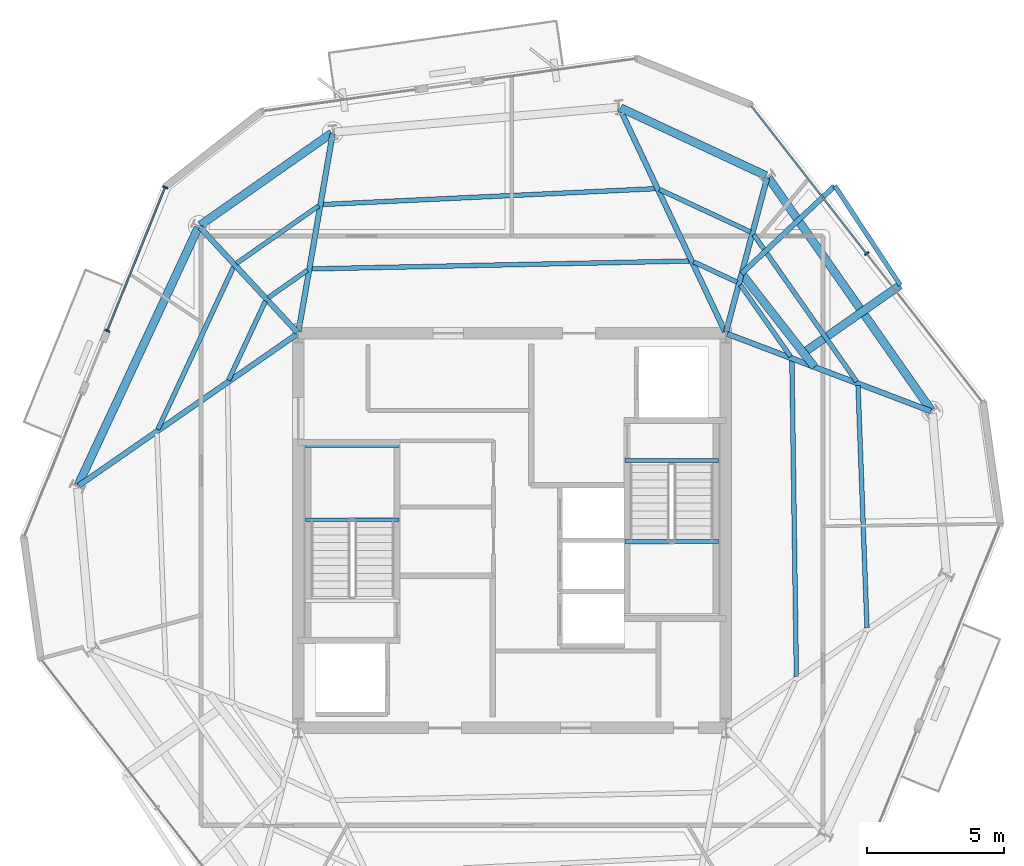
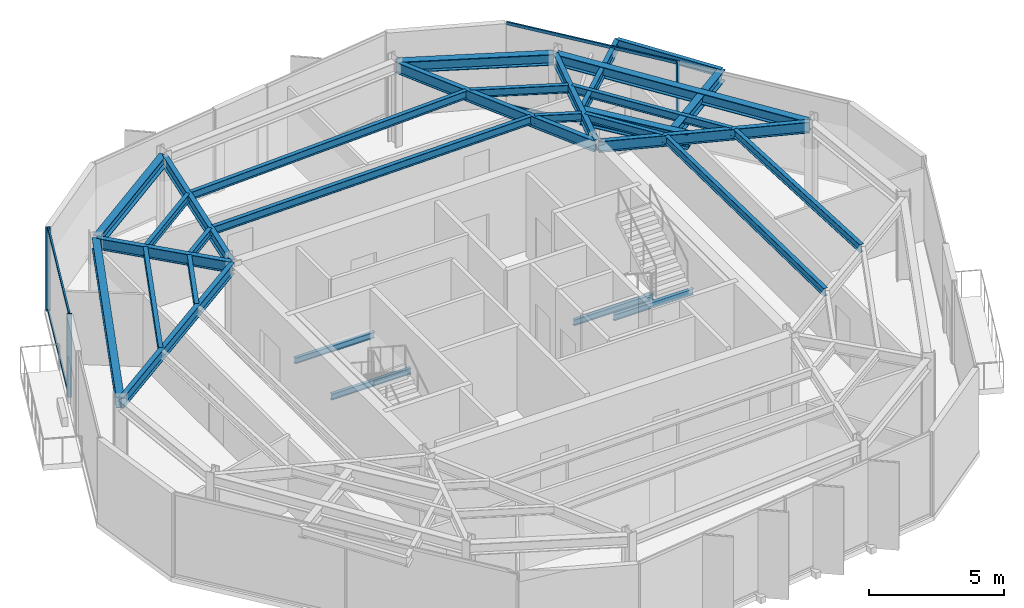
# One storey, part 4 of 11: 30 beams, 7 members, 2 elements without a shape of their own.
"""IFC4 building model written with IfcOpenShell, lengths in metres."""

from ifc_helpers import new_model, si_unit, direction, frame, origin, origin_2d, place, context, subcontext, project, spatial, rectangle, i_section, extrude, material, layer, layer_set, material_profile, profile_set, type_object, element, aggregate, save


model = new_model("IFC4")

# Units and contexts
model_context = context("Model", 3, precision=1e-05, world=origin(), true_north=direction((0.0, 1.0)))
body_context = subcontext(model_context, "Body", "Model", "MODEL_VIEW")
ifc_project = project(units=[si_unit("LENGTHUNIT", "METRE"), si_unit("AREAUNIT", "SQUARE_METRE"), si_unit("VOLUMEUNIT", "CUBIC_METRE"), si_unit("PLANEANGLEUNIT", "RADIAN"), si_unit("MASSUNIT", "GRAM", prefix="KILO")], contexts=[model_context])

# Site, building, storey
site_placement = place(None, origin())
site = spatial("IfcSite", under=ifc_project, at=site_placement, CompositionType="ELEMENT")
building_placement = place(site_placement, origin())
building = spatial("IfcBuilding", under=site, at=building_placement, Name="Kranzbogen Civic Tower", CompositionType="ELEMENT")
storey_placement = place(building_placement, frame((0.0, 0.0, 298.199951171875)))
storey = spatial("IfcBuildingStorey", under=building, at=storey_placement, Name="L72", CompositionType="ELEMENT", Elevation=298.199951171875)

# Beam
ifc_material_1 = material(Name="Steel S355", Category="steel")
ifc_material_profile_1 = material_profile(ifc_material_1, i_section(OverallWidth=0.18994140625, OverallDepth=0.449951171875, WebThickness=0.009521484375, FlangeThickness=0.0146484375, at=origin_2d()), Name="IPE 450")
ifc_profile_set_1 = profile_set([ifc_material_profile_1], Name="Steel S355")
beam_type_1 = type_object("IfcBeamType", Name="Braced Terrace Edge Beam IPE 450", PredefinedType="BEAM", material=ifc_profile_set_1)
beam_1_placement = place(storey_placement, frame((33.3779296875, 34.3759765625, 3.525146484375), z_axis=(0.728115570364, 0.685454386662, 0.0), x_axis=(-0.685454386662, 0.728115570364, 0.0)))
element("IfcBeam", 1, at=beam_1_placement, inside=storey, type_object=beam_type_1, Name="L73 back-spanned terrace beam L73-TB1-2", PredefinedType="BEAM", context=body_context, shape_type="SweptSolid", body=[
    extrude(i_section(OverallWidth=0.18994140625, OverallDepth=0.449951171875, WebThickness=0.009521484375, FlangeThickness=0.0146484375, at=origin_2d()), origin(), (0.0, 0.0, 1.0), 4.669677734375),
])

# Curtain wall, members
ifc_material_2 = material(Name="Pale Anodised Aluminium", Category="aluminium")
ifc_layer = layer(ifc_material_2, 0.219970703125, Name="Pale Anodised Aluminium")
ifc_layer_set = layer_set([ifc_layer], Name="Pale Anodised Aluminium")
curtain_wall_type = type_object("IfcCurtainWallType", Name="Zone 4 Stick Curtain Wall System CW-05", PredefinedType="USERDEFINED", material=ifc_layer_set)
curtain_wall_1_placement = place(storey_placement, origin())
curtain_wall_1 = element("IfcCurtainWall", 2, at=curtain_wall_1_placement, inside=storey, type_object=curtain_wall_type, Name="L72 curtain wall CW-L72-F2-S1", ObjectType="STICK CURTAIN WALL", PredefinedType="USERDEFINED")
ifc_material_profile_2 = material_profile(ifc_material_2, rectangle(XDim=0.06494140625, YDim=0.179931640625, at=origin_2d()), Name="ALU-M 65x180")
ifc_profile_set_2 = profile_set([ifc_material_profile_2], Name="Pale Anodised Aluminium")
member_type_1 = type_object("IfcMemberType", Name="Curtain Wall Mullion ALU-M 65x180", PredefinedType="MULLION", material=ifc_profile_set_2)
member_1_placement = place(storey_placement, frame((12.348876953125, 37.523193359375, 0.0), z_axis=(0.0, 0.0, 1.0), x_axis=(-0.374593528978, -0.927189132835, 0.0)))
member_1 = element("IfcMember", 3, at=member_1_placement, type_object=member_type_1, Name="CW-05 mullion 1", PredefinedType="MULLION", context=body_context, shape_type="SweptSolid", body=[
    extrude(rectangle(XDim=0.06494140625, YDim=0.179931640625, at=origin_2d()), origin(), (0.0, 0.0, 1.0), 3.780029296875),
])
member_2_placement = place(storey_placement, frame((10.2353515625, 32.291748046875, 0.0), z_axis=(0.0, 0.0, 1.0), x_axis=(-0.374593528978, -0.927189132835, 0.0)))
member_2 = element("IfcMember", 4, at=member_2_placement, type_object=member_type_1, Name="CW-05 mullion 2", PredefinedType="MULLION", context=body_context, shape_type="SweptSolid", body=[
    extrude(rectangle(XDim=0.06494140625, YDim=0.179931640625, at=origin_2d()), origin(), (0.0, 0.0, 1.0), 3.780029296875),
])

# Curtain wall, member
curtain_wall_2_placement = place(storey_placement, origin())
curtain_wall_2 = element("IfcCurtainWall", 5, at=curtain_wall_2_placement, inside=storey, type_object=curtain_wall_type, Name="L72 curtain wall CW-L72-F6", ObjectType="STICK CURTAIN WALL", PredefinedType="USERDEFINED")
member_3_placement = place(storey_placement, frame((37.93994140625, 35.109619140625, 0.0), z_axis=(0.0, 0.0, 1.0), x_axis=(-0.615679181618, 0.787996919614, 0.0)))
member_3 = element("IfcMember", 6, at=member_3_placement, type_object=member_type_1, Name="CW-05 mullion 2", PredefinedType="MULLION", context=body_context, shape_type="SweptSolid", body=[
    extrude(rectangle(XDim=0.06494140625, YDim=0.179931640625, at=origin_2d()), origin(), (0.0, 0.0, 1.0), 3.780029296875),
])

# Member
ifc_material_profile_3 = material_profile(ifc_material_2, rectangle(XDim=0.06494140625, YDim=0.135009765625, at=origin_2d()), Name="ALU-T 65x135")
ifc_profile_set_3 = profile_set([ifc_material_profile_3], Name="Pale Anodised Aluminium")
member_type_2 = type_object("IfcMemberType", Name="Curtain Wall Transom ALU-T 65x135", PredefinedType="USERDEFINED", material=ifc_profile_set_3)
member_4_placement = place(storey_placement, frame((12.33740234375, 37.495361328125, 0.030029296875), z_axis=(-0.374555609646, -0.927204451716, 0.0), x_axis=(0.927204451716, -0.374555609646, 0.0)))
member_4 = element("IfcMember", 7, at=member_4_placement, type_object=member_type_2, Name="CW-05 transom 1.1", ObjectType="TRANSOM", PredefinedType="USERDEFINED", context=body_context, shape_type="SweptSolid", body=[
    extrude(rectangle(XDim=0.06494140625, YDim=0.135009765625, at=origin_2d()), origin(), (0.0, 0.0, 1.0), 5.58203125),
])

member_5_placement = place(storey_placement, frame((12.33740234375, 37.495361328125, 3.75), z_axis=(-0.374555609646, -0.927204451716, 0.0), x_axis=(0.927204451716, -0.374555609646, 0.0)))
member_5 = element("IfcMember", 8, at=member_5_placement, type_object=member_type_2, Name="CW-05 transom 1.2", ObjectType="TRANSOM", PredefinedType="USERDEFINED", context=body_context, shape_type="SweptSolid", body=[
    extrude(rectangle(XDim=0.06494140625, YDim=0.135009765625, at=origin_2d()), origin(), (0.0, 0.0, 1.0), 5.58203125),
])

aggregate(curtain_wall_1, [member_1, member_2, member_4, member_5])

member_6_placement = place(storey_placement, frame((37.921630859375, 35.133056640625, 0.030029296875), z_axis=(-0.615673248113, 0.788001555556, 0.0), x_axis=(-0.788001555556, -0.615673248113, 0.0)))
member_6 = element("IfcMember", 9, at=member_6_placement, type_object=member_type_2, Name="CW-05 transom 2.1", ObjectType="TRANSOM", PredefinedType="USERDEFINED", context=body_context, shape_type="SweptSolid", body=[
    extrude(rectangle(XDim=0.06494140625, YDim=0.135009765625, at=origin_2d()), origin(), (0.0, 0.0, 1.0), 6.81298828125),
])

member_7_placement = place(storey_placement, frame((37.921630859375, 35.133056640625, 3.75), z_axis=(-0.615673248113, 0.788001555556, 0.0), x_axis=(-0.788001555556, -0.615673248113, 0.0)))
member_7 = element("IfcMember", 10, at=member_7_placement, type_object=member_type_2, Name="CW-05 transom 2.2", ObjectType="TRANSOM", PredefinedType="USERDEFINED", context=body_context, shape_type="SweptSolid", body=[
    extrude(rectangle(XDim=0.06494140625, YDim=0.135009765625, at=origin_2d()), origin(), (0.0, 0.0, 1.0), 6.81298828125),
])

aggregate(curtain_wall_2, [member_3, member_6, member_7])

# Beams
ifc_material_profile_4 = material_profile(ifc_material_1, i_section(OverallWidth=0.300048828125, OverallDepth=0.5, WebThickness=0.014404296875, FlangeThickness=0.028076171875, at=origin_2d()), Name="HEB 500")
ifc_profile_set_4 = profile_set([ifc_material_profile_4], Name="Steel S355")
beam_type_2 = type_object("IfcBeamType", Name="Perimeter Tube Spandrel Beam HEB 500", PredefinedType="SPANDREL", material=ifc_profile_set_4)
beam_2_placement = place(storey_placement, frame((40.300048828125, 29.387939453125, 3.530029296875), z_axis=(-0.573577759301, 0.819151117948, 0.0), x_axis=(-0.819151117948, -0.573577759301, 0.0)))
element("IfcBeam", 11, at=beam_2_placement, inside=storey, type_object=beam_type_2, Name="L72 perimeter spandrel beam 07", PredefinedType="SPANDREL", context=body_context, shape_type="SweptSolid", body=[
    extrude(i_section(OverallWidth=0.300048828125, OverallDepth=0.5, WebThickness=0.014404296875, FlangeThickness=0.028076171875, at=origin_2d()), origin(), (0.0, 0.0, 1.0), 10.36328125),
])
beam_3_placement = place(storey_placement, frame((34.26806640625, 37.950927734375, 3.530029296875), z_axis=(-0.906289661556, 0.422657129784, 0.0), x_axis=(-0.422657129784, -0.906289661556, 0.0)))
element("IfcBeam", 12, at=beam_3_placement, inside=storey, type_object=beam_type_2, Name="L72 perimeter spandrel beam 08", PredefinedType="SPANDREL", context=body_context, shape_type="SweptSolid", body=[
    extrude(i_section(OverallWidth=0.300048828125, OverallDepth=0.5, WebThickness=0.014404296875, FlangeThickness=0.028076171875, at=origin_2d()), origin(), (0.0, 0.0, 1.0), 5.853759765625),
])
beam_4_placement = place(storey_placement, frame((18.41796875, 39.501953125, 3.530029296875), z_axis=(-0.819059436004, -0.57370867197, 0.0), x_axis=(0.57370867197, -0.819059436004, 0.0)))
element("IfcBeam", 13, at=beam_4_placement, inside=storey, type_object=beam_type_2, Name="L72 perimeter spandrel beam 10", PredefinedType="SPANDREL", context=body_context, shape_type="SweptSolid", body=[
    extrude(i_section(OverallWidth=0.300048828125, OverallDepth=0.5, WebThickness=0.014404296875, FlangeThickness=0.028076171875, at=origin_2d()), origin(), (0.0, 0.0, 1.0), 5.85302734375),
])
beam_5_placement = place(storey_placement, frame((13.550048828125, 36.055908203125, 3.530029296875), z_axis=(-0.422668780888, -0.906284227857, 0.0), x_axis=(0.906284227857, -0.422668780888, 0.0)))
element("IfcBeam", 14, at=beam_5_placement, inside=storey, type_object=beam_type_2, Name="L72 perimeter spandrel beam 11", PredefinedType="SPANDREL", context=body_context, shape_type="SweptSolid", body=[
    extrude(i_section(OverallWidth=0.300048828125, OverallDepth=0.5, WebThickness=0.014404296875, FlangeThickness=0.028076171875, at=origin_2d()), origin(), (0.0, 0.0, 1.0), 10.363037109375),
])
beam_6_placement = place(storey_placement, frame((35.634033203125, 31.485107421875, 3.5), z_axis=(0.819133432556, 0.573603015743, 0.0), x_axis=(-0.573603015743, 0.819133432556, 0.0)))
element("IfcBeam", 15, at=beam_6_placement, inside=storey, type_object=beam_type_2, Name="L73 back-spanned terrace beam L73-TB1-1", PredefinedType="SPANDREL", context=body_context, shape_type="SweptSolid", body=[
    extrude(i_section(OverallWidth=0.300048828125, OverallDepth=0.5, WebThickness=0.014404296875, FlangeThickness=0.028076171875, at=origin_2d()), origin(), (0.0, 0.0, 1.0), 4.3095703125),
])
ifc_material_profile_5 = material_profile(ifc_material_1, i_section(OverallWidth=0.300048828125, OverallDepth=0.699951171875, WebThickness=0.01708984375, FlangeThickness=0.031982421875, at=origin_2d()), Name="HEB 700")
ifc_profile_set_5 = profile_set([ifc_material_profile_5], Name="Steel S355")
beam_type_3 = type_object("IfcBeamType", Name="Perimeter Tube Spandrel Beam HEB 700", PredefinedType="SPANDREL", material=ifc_profile_set_5)
beam_7_placement = place(storey_placement, frame((36.033935546875, 30.971923828125, 3.400146484375), z_axis=(-0.615153431403, 0.788407417414, 0.0), x_axis=(-0.788407417414, -0.615153431403, 0.0)))
element("IfcBeam", 16, at=beam_7_placement, inside=storey, type_object=beam_type_3, Name="L73 balcony back-span header girder L73-TB1", PredefinedType="SPANDREL", context=body_context, shape_type="SweptSolid", body=[
    extrude(i_section(OverallWidth=0.300048828125, OverallDepth=0.699951171875, WebThickness=0.01708984375, FlangeThickness=0.031982421875, at=origin_2d()), origin(), (0.0, 0.0, 1.0), 4.317626953125),
])
ifc_material_profile_6 = material_profile(ifc_material_1, i_section(OverallWidth=0.199951171875, OverallDepth=0.5, WebThickness=0.01025390625, FlangeThickness=0.01611328125, at=origin_2d()), Name="IPE 500")
ifc_profile_set_6 = profile_set([ifc_material_profile_6], Name="Steel S355")
beam_type_4 = type_object("IfcBeamType", Name="Radial Tower Floor Girder IPE 500", PredefinedType="BEAM", material=ifc_profile_set_6)
beam_8_placement = place(storey_placement, frame((40.278076171875, 29.360107421875, 3.530029296875), z_axis=(-0.934848709689, 0.355046320913, 0.0), x_axis=(-0.355046320913, -0.934848709689, 0.0)))
element("IfcBeam", 17, at=beam_8_placement, inside=storey, type_object=beam_type_4, Name="L72 radial floor girder 07", PredefinedType="BEAM", context=body_context, shape_type="SweptSolid", body=[
    extrude(i_section(OverallWidth=0.199951171875, OverallDepth=0.5, WebThickness=0.01025390625, FlangeThickness=0.01611328125, at=origin_2d()), origin(), (0.0, 0.0, 1.0), 7.939453125),
])
beam_9_placement = place(storey_placement, frame((34.306884765625, 37.867919921875, 3.530029296875), z_axis=(-0.257016017622, -0.966407143333, 0.0), x_axis=(0.966407143333, -0.257016017622, 0.0)))
element("IfcBeam", 18, at=beam_9_placement, inside=storey, type_object=beam_type_4, Name="L72 radial floor girder 08", PredefinedType="BEAM", context=body_context, shape_type="SweptSolid", body=[
    extrude(i_section(OverallWidth=0.199951171875, OverallDepth=0.5, WebThickness=0.01025390625, FlangeThickness=0.01611328125, at=origin_2d()), origin(), (0.0, 0.0, 1.0), 5.804931640625),
])
beam_10_placement = place(storey_placement, frame((28.93505859375, 40.39599609375, 3.530029296875), z_axis=(0.426460441273, -0.904506214478, 0.0), x_axis=(0.904506214478, 0.426460441273, 0.0)))
element("IfcBeam", 19, at=beam_10_placement, inside=storey, type_object=beam_type_4, Name="L72 radial floor girder 09", PredefinedType="BEAM", context=body_context, shape_type="SweptSolid", body=[
    extrude(i_section(OverallWidth=0.199951171875, OverallDepth=0.5, WebThickness=0.01025390625, FlangeThickness=0.01611328125, at=origin_2d()), origin(), (0.0, 0.0, 1.0), 9.001708984375),
])
beam_11_placement = place(storey_placement, frame((18.45703125, 39.47705078125, 3.530029296875), z_axis=(-0.170249558486, -0.985400978199, 0.0), x_axis=(0.985400978199, -0.170249558486, 0.0)))
element("IfcBeam", 20, at=beam_11_placement, inside=storey, type_object=beam_type_4, Name="L72 radial floor girder 10", PredefinedType="BEAM", context=body_context, shape_type="SweptSolid", body=[
    extrude(i_section(OverallWidth=0.199951171875, OverallDepth=0.5, WebThickness=0.01025390625, FlangeThickness=0.01611328125, at=origin_2d()), origin(), (0.0, 0.0, 1.0), 7.324951171875),
])
beam_12_placement = place(storey_placement, frame((13.615966796875, 36.06591796875, 3.530029296875), z_axis=(0.679827353702, -0.733372190064, 0.0), x_axis=(0.733372190064, 0.679827353702, 0.0)))
element("IfcBeam", 21, at=beam_12_placement, inside=storey, type_object=beam_type_4, Name="L72 radial floor girder 11", PredefinedType="BEAM", context=body_context, shape_type="SweptSolid", body=[
    extrude(i_section(OverallWidth=0.199951171875, OverallDepth=0.5, WebThickness=0.01025390625, FlangeThickness=0.01611328125, at=origin_2d()), origin(), (0.0, 0.0, 1.0), 5.211669921875),
])
beam_13_placement = place(storey_placement, frame((9.194091796875, 26.64404296875, 3.530029296875), z_axis=(0.821542812331, 0.570146829779, 0.0), x_axis=(-0.570146829779, 0.821542812331, 0.0)))
element("IfcBeam", 22, at=beam_13_placement, inside=storey, type_object=beam_type_4, Name="L72 radial floor girder 12", PredefinedType="BEAM", context=body_context, shape_type="SweptSolid", body=[
    extrude(i_section(OverallWidth=0.199951171875, OverallDepth=0.5, WebThickness=0.01025390625, FlangeThickness=0.01611328125, at=origin_2d()), origin(), (0.0, 0.0, 1.0), 9.68505859375),
])
ifc_material_profile_7 = material_profile(ifc_material_1, i_section(OverallWidth=0.169921875, OverallDepth=0.360107421875, WebThickness=0.008056640625, FlangeThickness=0.0126953125, at=origin_2d()), Name="IPE 360")
ifc_profile_set_7 = profile_set([ifc_material_profile_7], Name="Steel S355")
beam_type_5 = type_object("IfcBeamType", Name="Secondary Composite Floor Joist IPE 360", PredefinedType="JOIST", material=ifc_profile_set_7)
beam_14_placement = place(storey_placement, frame((37.951904296875, 21.4580078125, 3.60009765625), z_axis=(-0.036992246074, 0.999315552631, 0.0), x_axis=(-0.999315552631, -0.036992246074, 0.0)))
element("IfcBeam", 23, at=beam_14_placement, inside=storey, type_object=beam_type_5, Name="L72 secondary floor joist 1.06", PredefinedType="JOIST", context=body_context, shape_type="SweptSolid", body=[
    extrude(i_section(OverallWidth=0.169921875, OverallDepth=0.360107421875, WebThickness=0.008056640625, FlangeThickness=0.0126953125, at=origin_2d()), origin(), (0.0, 0.0, 1.0), 8.837158203125),
])
beam_15_placement = place(storey_placement, frame((35.3759765625, 19.6689453125, 3.60009765625), z_axis=(-0.014221385906, 0.999898870978, 0.0), x_axis=(-0.999898870978, -0.014221385906, 0.0)))
element("IfcBeam", 24, at=beam_15_placement, inside=storey, type_object=beam_type_5, Name="L72 secondary floor joist 2.06", PredefinedType="JOIST", context=body_context, shape_type="SweptSolid", body=[
    extrude(i_section(OverallWidth=0.169921875, OverallDepth=0.360107421875, WebThickness=0.008056640625, FlangeThickness=0.0126953125, at=origin_2d()), origin(), (0.0, 0.0, 1.0), 11.536376953125),
])
beam_16_placement = place(storey_placement, frame((37.575927734375, 30.43408203125, 3.60009765625), z_axis=(-0.573499872939, 0.819205649235, 0.0), x_axis=(-0.819205649235, -0.573499872939, 0.0)))
element("IfcBeam", 25, at=beam_16_placement, inside=storey, type_object=beam_type_5, Name="L72 secondary floor joist 1.07", PredefinedType="JOIST", context=body_context, shape_type="SweptSolid", body=[
    extrude(i_section(OverallWidth=0.169921875, OverallDepth=0.360107421875, WebThickness=0.008056640625, FlangeThickness=0.0126953125, at=origin_2d()), origin(), (0.0, 0.0, 1.0), 6.549072265625),
])
beam_17_placement = place(storey_placement, frame((35.1650390625, 31.35009765625, 3.60009765625), z_axis=(-0.573498248491, 0.819206786457, 0.0), x_axis=(-0.819206786457, -0.573498248491, 0.0)))
element("IfcBeam", 26, at=beam_17_placement, inside=storey, type_object=beam_type_5, Name="L72 secondary floor joist 2.07", PredefinedType="JOIST", context=body_context, shape_type="SweptSolid", body=[
    extrude(i_section(OverallWidth=0.169921875, OverallDepth=0.360107421875, WebThickness=0.008056640625, FlangeThickness=0.0126953125, at=origin_2d()), origin(), (0.0, 0.0, 1.0), 3.194580078125),
])
beam_18_placement = place(storey_placement, frame((33.701904296875, 35.89794921875, 3.60009765625), z_axis=(-0.906303996948, 0.422626389517, 0.0), x_axis=(-0.422626389517, -0.906303996948, 0.0)))
element("IfcBeam", 27, at=beam_18_placement, inside=storey, type_object=beam_type_5, Name="L72 secondary floor joist 1.08", PredefinedType="JOIST", context=body_context, shape_type="SweptSolid", body=[
    extrude(i_section(OverallWidth=0.169921875, OverallDepth=0.360107421875, WebThickness=0.008056640625, FlangeThickness=0.0126953125, at=origin_2d()), origin(), (0.0, 0.0, 1.0), 3.6630859375),
])
beam_19_placement = place(storey_placement, frame((33.215087890625, 34.06591796875, 3.60009765625), z_axis=(-0.906432174342, 0.422351409751, 0.0), x_axis=(-0.422351409751, -0.906432174342, 0.0)))
element("IfcBeam", 28, at=beam_19_placement, inside=storey, type_object=beam_type_5, Name="L72 secondary floor joist 2.08", PredefinedType="JOIST", context=body_context, shape_type="SweptSolid", body=[
    extrude(i_section(OverallWidth=0.169921875, OverallDepth=0.360107421875, WebThickness=0.008056640625, FlangeThickness=0.0126953125, at=origin_2d()), origin(), (0.0, 0.0, 1.0), 1.751953125),
])
beam_20_placement = place(storey_placement, frame((30.22998046875, 37.47607421875, 3.60009765625), z_axis=(-0.998871634781, -0.047491654324, 0.0), x_axis=(0.047491654324, -0.998871634781, 0.0)))
element("IfcBeam", 29, at=beam_20_placement, inside=storey, type_object=beam_type_5, Name="L72 secondary floor joist 1.09", PredefinedType="JOIST", context=body_context, shape_type="SweptSolid", body=[
    extrude(i_section(OverallWidth=0.169921875, OverallDepth=0.360107421875, WebThickness=0.008056640625, FlangeThickness=0.0126953125, at=origin_2d()), origin(), (0.0, 0.0, 1.0), 12.152587890625),
])
beam_21_placement = place(storey_placement, frame((31.47509765625, 34.837890625, 3.60009765625), z_axis=(-0.999780746893, -0.020939392104, 0.0), x_axis=(0.020939392104, -0.999780746893, 0.0)))
element("IfcBeam", 30, at=beam_21_placement, inside=storey, type_object=beam_type_5, Name="L72 secondary floor joist 2.09", PredefinedType="JOIST", context=body_context, shape_type="SweptSolid", body=[
    extrude(i_section(OverallWidth=0.169921875, OverallDepth=0.360107421875, WebThickness=0.008056640625, FlangeThickness=0.0126953125, at=origin_2d()), origin(), (0.0, 0.0, 1.0), 13.79296875),
])
beam_22_placement = place(storey_placement, frame((17.945068359375, 36.84912109375, 3.60009765625), z_axis=(-0.819006333711, -0.573784476385, 0.0), x_axis=(0.573784476385, -0.819006333711, 0.0)))
element("IfcBeam", 31, at=beam_22_placement, inside=storey, type_object=beam_type_5, Name="L72 secondary floor joist 1.10", PredefinedType="JOIST", context=body_context, shape_type="SweptSolid", body=[
    extrude(i_section(OverallWidth=0.169921875, OverallDepth=0.360107421875, WebThickness=0.008056640625, FlangeThickness=0.0126953125, at=origin_2d()), origin(), (0.0, 0.0, 1.0), 3.661865234375),
])
beam_23_placement = place(storey_placement, frame((17.5400390625, 34.501953125, 3.60009765625), z_axis=(-0.818956727849, -0.573855276103, 0.0), x_axis=(0.573855276103, -0.818956727849, 0.0)))
element("IfcBeam", 32, at=beam_23_placement, inside=storey, type_object=beam_type_5, Name="L72 secondary floor joist 2.10", PredefinedType="JOIST", context=body_context, shape_type="SweptSolid", body=[
    extrude(i_section(OverallWidth=0.169921875, OverallDepth=0.360107421875, WebThickness=0.008056640625, FlangeThickness=0.0126953125, at=origin_2d()), origin(), (0.0, 0.0, 1.0), 1.751220703125),
])
beam_24_placement = place(storey_placement, frame((14.845947265625, 34.6298828125, 3.60009765625), z_axis=(-0.422542528713, -0.906343098075, 0.0), x_axis=(0.906343098075, -0.422542528713, 0.0)))
element("IfcBeam", 33, at=beam_24_placement, inside=storey, type_object=beam_type_5, Name="L72 secondary floor joist 1.11", PredefinedType="JOIST", context=body_context, shape_type="SweptSolid", body=[
    extrude(i_section(OverallWidth=0.169921875, OverallDepth=0.360107421875, WebThickness=0.008056640625, FlangeThickness=0.0126953125, at=origin_2d()), origin(), (0.0, 0.0, 1.0), 6.548095703125),
])
beam_25_placement = place(storey_placement, frame((16.006103515625, 33.37890625, 3.60009765625), z_axis=(-0.422651143991, -0.906292453065, 0.0), x_axis=(0.906292453065, -0.422651143991, 0.0)))
element("IfcBeam", 34, at=beam_25_placement, inside=storey, type_object=beam_type_5, Name="L72 secondary floor joist 2.11", PredefinedType="JOIST", context=body_context, shape_type="SweptSolid", body=[
    extrude(i_section(OverallWidth=0.169921875, OverallDepth=0.360107421875, WebThickness=0.008056640625, FlangeThickness=0.0126953125, at=origin_2d()), origin(), (0.0, 0.0, 1.0), 3.1943359375),
])
beam_26_placement = place(storey_placement, frame((39.1640625, 33.95703125, 3.570068359375), z_axis=(-0.550339236692, 0.834941150356, 0.0), x_axis=(-0.834941150356, -0.550339236692, 0.0)))
element("IfcBeam", 35, at=beam_26_placement, inside=storey, type_object=beam_type_5, Name="L73 terrace outer edge trimmer L73-TB1", PredefinedType="JOIST", context=body_context, shape_type="SweptSolid", body=[
    extrude(i_section(OverallWidth=0.169921875, OverallDepth=0.360107421875, WebThickness=0.008056640625, FlangeThickness=0.0126953125, at=origin_2d()), origin(), (0.0, 0.0, 1.0), 4.33544921875),
])
ifc_material_profile_8 = material_profile(ifc_material_1, i_section(OverallWidth=0.135009765625, OverallDepth=0.27001953125, WebThickness=0.006591796875, FlangeThickness=0.01025390625, at=origin_2d()), Name="IPE 270")
ifc_profile_set_8 = profile_set([ifc_material_profile_8], Name="Steel S355")
beam_type_6 = type_object("IfcBeamType", Name="Stair Landing Support Beam IPE 270", PredefinedType="JOIST", material=ifc_profile_set_8)
for number, where, z_axis, x_axis, name in (
    (36, (20.8798828125, 25.39990234375, 1.6650390625), (-1.0, 0.0, 0.0), (0.0, -1.0, 0.0), "L72 ST-T1 landing support beam 1.1"),
    (37, (20.8798828125, 28.10009765625, 1.6650390625), (-1.0, 0.0, 0.0), (0.0, -1.0, 0.0), "L72 ST-T1 landing support beam 1.2"),
    (38, (29.1201171875, 27.56005859375, -0.35498046875), (1.0, 0.0, 0.0), (0.0, 1.0, 0.0), "L72 ST-T2 stair floor header beam"),
    (39, (29.1201171875, 24.60009765625, 1.6650390625), (1.0, 0.0, 0.0), (0.0, 1.0, 0.0), "L72 ST-T2 landing support beam 1.1"),
):
    element("IfcBeam", number, at=place(storey_placement, frame(where, z_axis=z_axis, x_axis=x_axis)), inside=storey, type_object=beam_type_6, Name=name, PredefinedType="JOIST", context=body_context, shape_type="SweptSolid", body=[
        extrude(i_section(OverallWidth=0.135009765625, OverallDepth=0.27001953125, WebThickness=0.006591796875, FlangeThickness=0.01025390625, at=origin_2d()), origin(), (0.0, 0.0, 1.0), 3.409912109375),
    ])

save(model, "model.ifc")
